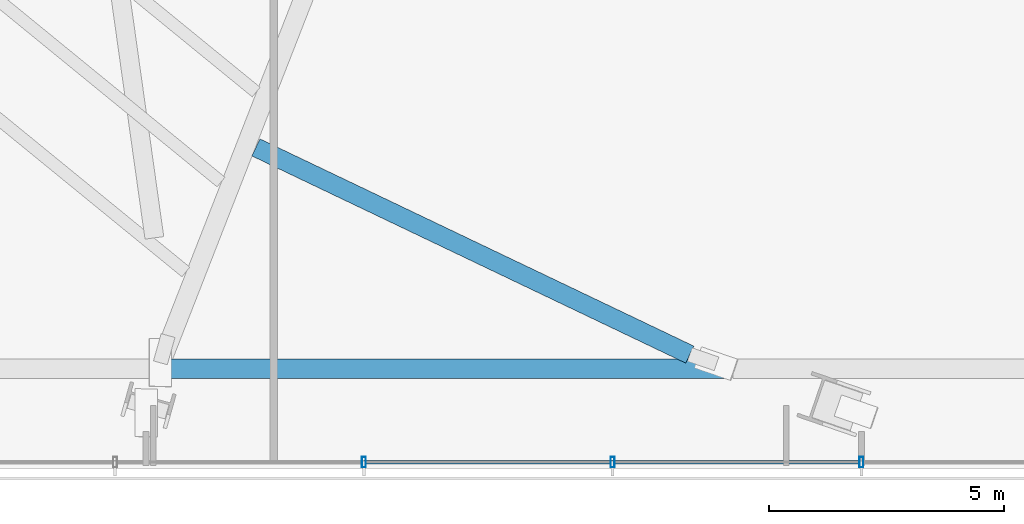
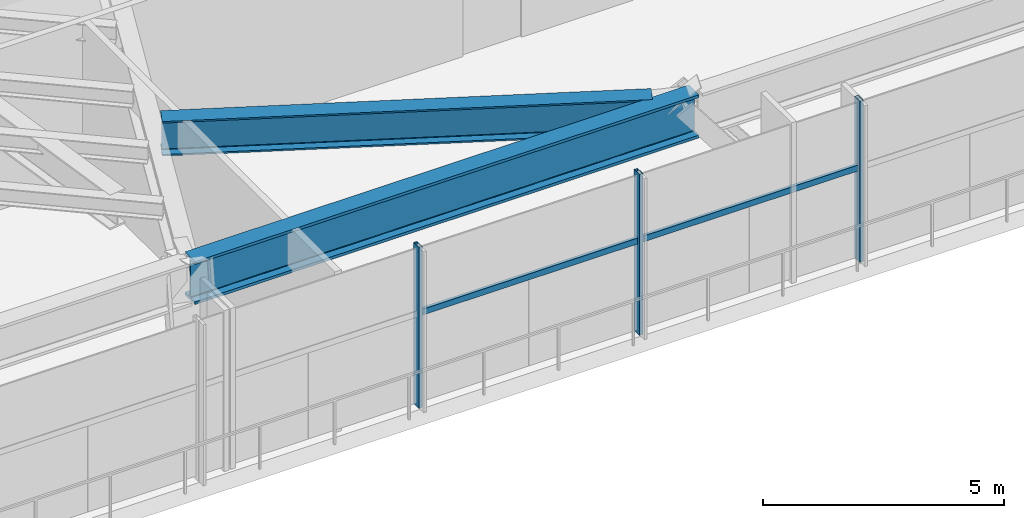
# One storey, part 6 of 29: 5 members, 2 beams, 1 element without a shape of its own.
"""IFC4 building model written with IfcOpenShell, lengths in metres."""

from ifc_helpers import new_model, si_unit, direction, frame, origin, origin_2d, place, context, subcontext, project, spatial, hollow_rectangle, i_section, extrude, source, transform, mapped, material, material_profile, profile_set, type_object, type_shapes, element, aggregate, save


model = new_model("IFC4")

# Units and contexts
model_context = context("Model", 3, precision=1e-05, world=origin(), true_north=direction((0.0, 1.0)))
body_context = subcontext(model_context, "Body", "Model", "MODEL_VIEW")
ifc_project = project(units=[si_unit("LENGTHUNIT", "METRE"), si_unit("AREAUNIT", "SQUARE_METRE"), si_unit("VOLUMEUNIT", "CUBIC_METRE"), si_unit("PLANEANGLEUNIT", "RADIAN"), si_unit("MASSUNIT", "GRAM", prefix="KILO")], contexts=[model_context])

# Site, building, storey
site_placement = place(None, origin())
site = spatial("IfcSite", under=ifc_project, at=site_placement, CompositionType="ELEMENT")
building_placement = place(site_placement, origin())
building = spatial("IfcBuilding", under=site, at=building_placement, Name="Astriad Promenade Condominiums", CompositionType="ELEMENT")
storey_placement = place(building_placement, frame((0.0, 0.0, 18.5)))
storey = spatial("IfcBuildingStorey", under=building, at=storey_placement, Name="L04", CompositionType="ELEMENT", Elevation=18.5)

# Beams
ifc_material_1 = material(Name="Steel ASTM A992 Grade 50", Category="steel")
ifc_material_profile_1 = material_profile(ifc_material_1, i_section(OverallWidth=0.4169921875, OverallDepth=1.093505859375, WebThickness=0.0390625, FlangeThickness=0.070068359375, FilletRadius=0.025390625, at=origin_2d()), Name="W40X503")
ifc_profile_set_1 = profile_set([ifc_material_profile_1], Name="Steel ASTM A992 Grade 50")
beam_type_1 = type_object("IfcBeamType", Name="STEEL TRANSFER GIRDER W40X503", PredefinedType="BEAM", material=ifc_profile_set_1)
shared_shape_1 = source(origin(), body_context, "Body", "SweptSolid", [
    extrude(i_section(OverallWidth=0.4169921875, OverallDepth=1.093505859375, WebThickness=0.0390625, FlangeThickness=0.070068359375, FilletRadius=0.025390625, at=origin_2d()), origin(), (0.0, 0.0, 1.0), 12.090576171875),
])
type_shapes(beam_type_1, [shared_shape_1])
beam_1_placement = place(storey_placement, frame((21.098388671875, 3.732666015625, 3.533203125), z_axis=(1.0, 0.0, 0.0), x_axis=(0.0, 1.0, 0.0)))
element("IfcBeam", 1, at=beam_1_placement, inside=storey, type_object=beam_type_1, Name="Perimeter Spandrel Beam SP-S2-L04", PredefinedType="BEAM", context=body_context, shape_type="MappedRepresentation", body=[
    mapped(shared_shape_1, transform((0.0, 0.0, 0.0), scale=1.0)),
])
ifc_material_profile_2 = material_profile(ifc_material_1, i_section(OverallWidth=0.4013671875, OverallDepth=0.877197265625, WebThickness=0.022216796875, FlangeThickness=0.039794921875, FilletRadius=0.02294921875, at=origin_2d()), Name="W33X263")
ifc_profile_set_2 = profile_set([ifc_material_profile_2], Name="Steel ASTM A992 Grade 50")
beam_type_2 = type_object("IfcBeamType", Name="STEEL TRANSFER CARRIER GIRDER W33X263", PredefinedType="BEAM", material=ifc_profile_set_2)
shared_shape_2 = source(origin(), body_context, "Body", "SweptSolid", [
    extrude(i_section(OverallWidth=0.4013671875, OverallDepth=0.877197265625, WebThickness=0.022216796875, FlangeThickness=0.039794921875, FilletRadius=0.02294921875, at=origin_2d()), origin(), (0.0, 0.0, 1.0), 10.222412109375),
])
type_shapes(beam_type_2, [shared_shape_2])
beam_2_placement = place(storey_placement, frame((23.12548828125, 8.43994140625, 3.641357421875), z_axis=(0.902390711125, -0.430918791045, 0.0), x_axis=(0.430918791045, 0.902390711125, 0.0)))
element("IfcBeam", 2, at=beam_2_placement, inside=storey, type_object=beam_type_2, Name="Transfer Splice Carrier TRM-SP-PC03-L04", PredefinedType="BEAM", context=body_context, shape_type="MappedRepresentation", body=[
    mapped(shared_shape_2, transform((0.0, 0.0, 0.0), scale=1.0)),
])

# Curtain wall, members
ifc_material_2 = material(Name="Anodised aluminium Black Dark Glass Unitised", Category="aluminium")
curtain_wall_type = type_object("IfcCurtainWallType", Name="CW-POD-DARK", PredefinedType="USERDEFINED", material=ifc_material_2)
curtain_wall_placement = place(storey_placement, origin())
curtain_wall = element("IfcCurtainWall", 3, at=curtain_wall_placement, inside=storey, type_object=curtain_wall_type, Name="CW-L04-S", ObjectType="UNITISED_CURTAIN_WALL", PredefinedType="USERDEFINED")
ifc_material_3 = material(Name="Anodised aluminium 6063-T6 Black", Category="aluminium")
ifc_material_profile_3 = material_profile(ifc_material_3, hollow_rectangle(XDim=0.0849609375, YDim=0.219970703125, WallThickness=0.0048828125, at=origin_2d()), Name="ALU-MUL-85X220")
ifc_profile_set_3 = profile_set([ifc_material_profile_3], Name="Anodised aluminium 6063-T6 Black")
member_type_1 = type_object("IfcMemberType", Name="MUL-ALU-MUL-85X220", PredefinedType="MULLION", material=ifc_profile_set_3)
shared_shape_3 = source(origin(), body_context, "Body", "SweptSolid", [
    extrude(hollow_rectangle(XDim=0.0849609375, YDim=0.219970703125, WallThickness=0.0048828125, at=origin_2d()), origin(), (0.0, 0.0, 1.0), 4.080078125),
])
type_shapes(member_type_1, [shared_shape_3])
member_1_placement = place(storey_placement, frame((36.0, 1.75, 0.0), z_axis=(0.0, 0.0, 1.0), x_axis=(1.0, 0.0, 0.0)))
member_1 = element("IfcMember", 4, at=member_1_placement, type_object=member_type_1, Name="CW-L04-S-MUL-05", PredefinedType="MULLION", context=body_context, shape_type="MappedRepresentation", body=[
    mapped(shared_shape_3, transform((0.0, 0.0, 0.0), scale=1.0)),
])
member_2_placement = place(storey_placement, frame((30.7099609375, 1.75, 0.0), z_axis=(0.0, 0.0, 1.0), x_axis=(1.0, 0.0, 0.0)))
member_2 = element("IfcMember", 5, at=member_2_placement, type_object=member_type_1, Name="CW-L04-S-MUL-06", PredefinedType="MULLION", context=body_context, shape_type="MappedRepresentation", body=[
    mapped(shared_shape_3, transform((0.0, 0.0, 0.0), scale=1.0)),
])
member_3_placement = place(storey_placement, frame((25.419921875, 1.75, 0.0), z_axis=(0.0, 0.0, 1.0), x_axis=(1.0, 0.0, 0.0)))
member_3 = element("IfcMember", 6, at=member_3_placement, type_object=member_type_1, Name="CW-L04-S-MUL-07", PredefinedType="MULLION", context=body_context, shape_type="MappedRepresentation", body=[
    mapped(shared_shape_3, transform((0.0, 0.0, 0.0), scale=1.0)),
])
ifc_material_profile_4 = material_profile(ifc_material_3, hollow_rectangle(XDim=0.074951171875, YDim=0.14990234375, WallThickness=0.004150390625, at=origin_2d()), Name="ALU-TRN-75X150")
ifc_profile_set_4 = profile_set([ifc_material_profile_4], Name="Anodised aluminium 6063-T6 Black")
member_type_2 = type_object("IfcMemberType", Name="TRN-ALU-TRN-75X150", PredefinedType="USERDEFINED", material=ifc_profile_set_4)
shared_shape_4 = source(origin(), body_context, "Body", "SweptSolid", [
    extrude(hollow_rectangle(XDim=0.074951171875, YDim=0.14990234375, WallThickness=0.004150390625, at=origin_2d()), origin(), (0.0, 0.0, 1.0), 5.2900390625),
])
type_shapes(member_type_2, [shared_shape_4])
member_4_placement = place(storey_placement, frame((36.0, 1.75, 2.35009765625), z_axis=(-1.0, 0.0, 0.0), x_axis=(0.0, -1.0, 0.0)))
member_4 = element("IfcMember", 7, at=member_4_placement, type_object=member_type_2, Name="CW-L04-S-TRN-05-0", ObjectType="TRANSOM", PredefinedType="USERDEFINED", context=body_context, shape_type="MappedRepresentation", body=[
    mapped(shared_shape_4, transform((0.0, 0.0, 0.0), scale=1.0)),
])
member_5_placement = place(storey_placement, frame((30.7099609375, 1.75, 2.35009765625), z_axis=(-1.0, 0.0, 0.0), x_axis=(0.0, -1.0, 0.0)))
member_5 = element("IfcMember", 8, at=member_5_placement, type_object=member_type_2, Name="CW-L04-S-TRN-06-0", ObjectType="TRANSOM", PredefinedType="USERDEFINED", context=body_context, shape_type="MappedRepresentation", body=[
    mapped(shared_shape_4, transform((0.0, 0.0, 0.0), scale=1.0)),
])
aggregate(curtain_wall, [member_1, member_2, member_3, member_4, member_5])

save(model, "model.ifc")
